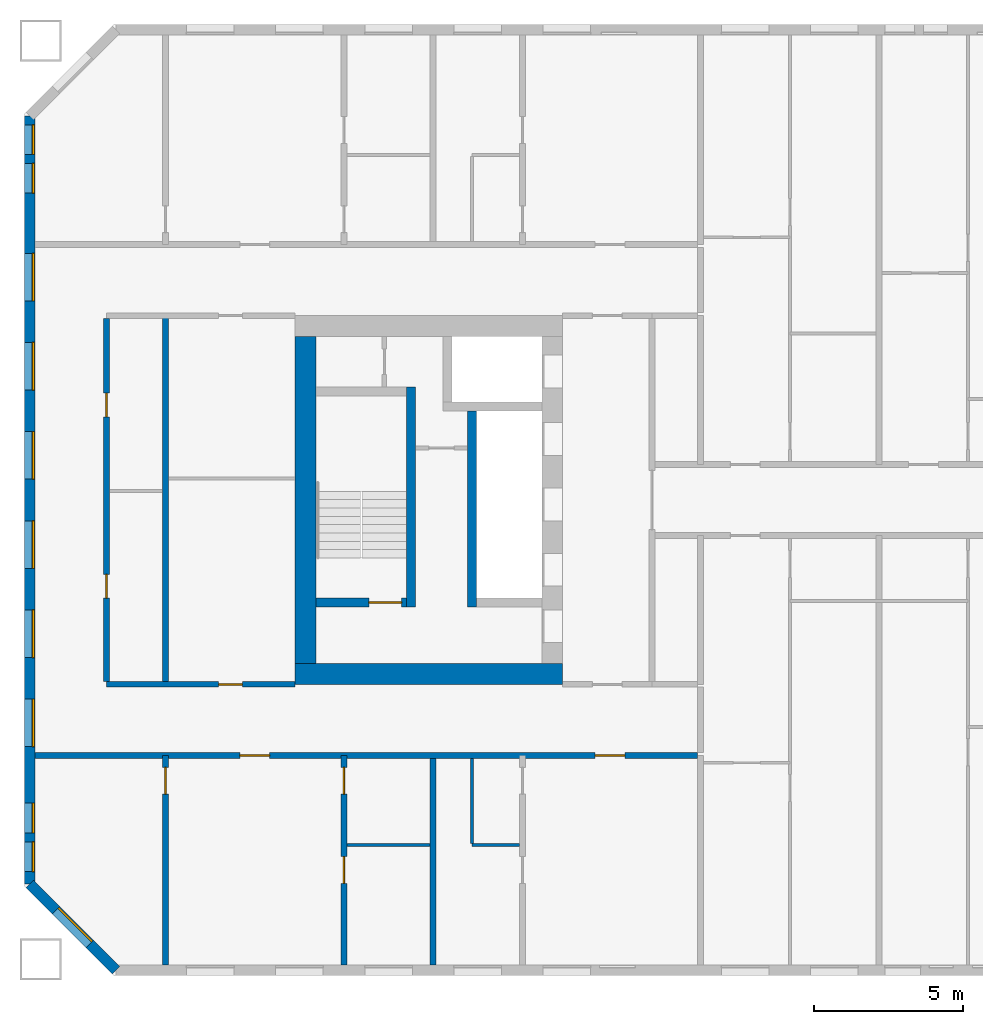
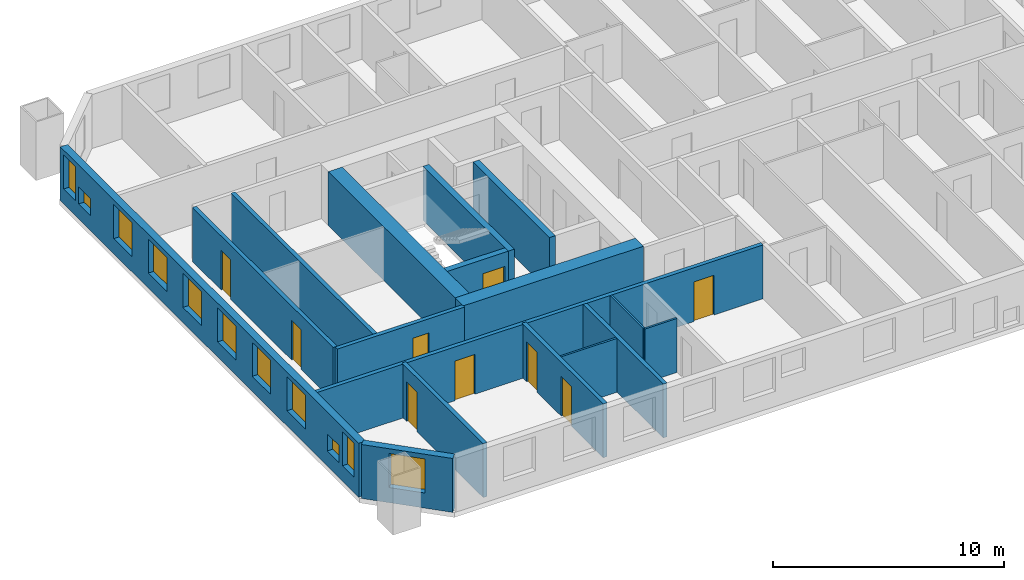
# One storey, part 2 of 17: 17 walls, 11 windows, 9 doors, 20 openings.
"""IFC4 building model written with IfcOpenShell, lengths in metres."""

import ifcopenshell
import ifcopenshell.guid

model = None  # the IFC model being written
_history = None  # IfcOwnerHistory: only IFC2X3 demands one
_inside = {}  # id of a spatial element -> (the spatial element, [elements in it])
_under = {}  # id of a project, library or spatial element -> (it, [spatial elements below it])
_declared = {}  # id of a project -> (the project, [libraries it declares])
_typed = {}  # id of a type object -> (the type object, [elements of that type])
_made_of = {}  # id of a material, layer set ... -> (it, [elements and type objects made of it])


def new_model(schema):
    """Start an empty IFC model of exactly this schema.

    Asked for "IFC4X3", IfcOpenShell would pick the latest addendum, in which some entities
    have other attributes; the version numbers below select the first issue.
    IFC2X3 requires an IfcOwnerHistory on every rooted entity: one is made here for all.
    """
    global model, _history
    if schema == "IFC4X3":
        model = ifcopenshell.file(schema_version=(4, 3, 0, 0))
    else:
        model = ifcopenshell.file(schema=schema)
    _inside.clear()
    _under.clear()
    _declared.clear()
    _typed.clear()
    _made_of.clear()
    _history = None
    if model.schema == "IFC2X3":
        org = make("IfcOrganization", Name="unknown")
        user = make(
            "IfcPersonAndOrganization",
            ThePerson=make("IfcPerson", FamilyName="unknown"),
            TheOrganization=org,
        )
        app = make(
            "IfcApplication",
            ApplicationDeveloper=org,
            Version="unknown",
            ApplicationFullName="unknown",
            ApplicationIdentifier="unknown",
        )
        _history = make(
            "IfcOwnerHistory",
            OwningUser=user,
            OwningApplication=app,
            ChangeAction="ADDED",
            CreationDate=0,
        )
    return model


def make(cls, **values):
    """One entity of the class cls with the attributes given. An attribute that is None is left unset."""
    return model.create_entity(
        cls, **{name: value for name, value in values.items() if value is not None}
    )


def rooted(cls, **values):
    """An entity with a GlobalId (a new one), such as an element, a storey or a relation."""
    return make(cls, GlobalId=ifcopenshell.guid.new(), OwnerHistory=_history, **values)


def si_unit(unit_type, name, prefix=None):
    """IfcSIUnit, for example si_unit("LENGTHUNIT", "METRE", prefix="MILLI")."""
    return make("IfcSIUnit", UnitType=unit_type, Prefix=prefix, Name=name)


def assignment(units):
    """IfcUnitAssignment: the units of a project."""
    return None if units is None else make("IfcUnitAssignment", Units=units)


def point(xyz):
    """IfcCartesianPoint."""
    return None if xyz is None else make("IfcCartesianPoint", Coordinates=xyz)


def direction(xyz):
    """IfcDirection."""
    return None if xyz is None else make("IfcDirection", DirectionRatios=xyz)


def frame(location, z_axis=None, x_axis=None):
    """IfcAxis2Placement3D, a coordinate frame: its origin and axes. An axis left out is left unset."""
    return make(
        "IfcAxis2Placement3D",
        Location=point(location),
        Axis=direction(z_axis),
        RefDirection=direction(x_axis),
    )


def frame_2d(location, x_axis=None):
    """IfcAxis2Placement2D, a coordinate frame in the plane: its origin and x axis."""
    return make(
        "IfcAxis2Placement2D", Location=point(location), RefDirection=direction(x_axis)
    )


def origin():
    """The frame at (0, 0, 0) with its axes left unset."""
    return frame((0.0, 0.0, 0.0))


def place(relative_to, where):
    """IfcLocalPlacement: puts the frame where relative to a parent placement (None: the world)."""
    return make(
        "IfcLocalPlacement", PlacementRelTo=relative_to, RelativePlacement=where
    )


def context(
    kind, dimensions, precision=None, world=None, true_north=None, identifier=None
):
    """IfcGeometricRepresentationContext, for example the 3D "Model" context."""
    return make(
        "IfcGeometricRepresentationContext",
        ContextIdentifier=identifier,
        ContextType=kind,
        CoordinateSpaceDimension=dimensions,
        Precision=precision,
        WorldCoordinateSystem=world,
        TrueNorth=true_north,
    )


def subcontext(parent, identifier, kind, view, scale=None):
    """IfcGeometricRepresentationSubContext, for example "Body" below "Model"."""
    return make(
        "IfcGeometricRepresentationSubContext",
        ContextIdentifier=identifier,
        ContextType=kind,
        ParentContext=parent,
        TargetScale=scale,
        TargetView=view,
    )


def project(units=None, contexts=None):
    """IfcProject with its units and contexts."""
    return rooted(
        "IfcProject",
        Name="project",
        RepresentationContexts=contexts,
        UnitsInContext=assignment(units),
    )


def spatial(cls, under=None, at=None, **own):
    """A site, building, storey or space (cls), placed at a placement, below another one or the project."""
    s = rooted(cls, ObjectPlacement=at, **own)
    if under is not None:
        _under.setdefault(under.id(), (under, []))[1].append(s)
    return s


def profile(cls, at=None, kind="AREA", **sizes):
    """A parametric profile (cls). Its sizes go by their IFC names, for example OverallWidth=200.0."""
    return make(cls, ProfileType=kind, Position=at, **sizes)


def rectangle(**sizes):
    """IfcRectangleProfileDef."""
    return profile("IfcRectangleProfileDef", **sizes)


def extrude(swept, where, along, depth):
    """IfcExtrudedAreaSolid: the profile swept, set in the frame where, extruded along a direction by depth."""
    return make(
        "IfcExtrudedAreaSolid",
        SweptArea=swept,
        Position=where,
        ExtrudedDirection=direction(along),
        Depth=depth,
    )


def shape(context_of_items, identifier, shape_type, items):
    """IfcShapeRepresentation: the items that make up one representation, for example the "Body"."""
    return make(
        "IfcShapeRepresentation",
        ContextOfItems=context_of_items,
        RepresentationIdentifier=identifier,
        RepresentationType=shape_type,
        Items=items,
    )


def material(Name=None, Category=None):
    """IfcMaterial."""
    return make("IfcMaterial", Name=Name, Category=Category)


def layer(
    of_material, thickness, ventilated=None, Name=None, Category=None, Priority=None
):
    """IfcMaterialLayer: one layer of a wall or slab, of a material (None: an air gap)."""
    return make(
        "IfcMaterialLayer",
        Material=of_material,
        LayerThickness=thickness,
        IsVentilated=ventilated,
        Name=Name,
        Category=Category,
        Priority=Priority,
    )


def layer_set(layers, Name=None):
    """IfcMaterialLayerSet."""
    return make("IfcMaterialLayerSet", MaterialLayers=layers, LayerSetName=Name)


def made_of(thing, what):
    """Note that an element or type object is made of a material, layer set ...; save() writes the relation."""
    if what is not None:
        _made_of.setdefault(what.id(), (what, []))[1].append(thing)
    return thing


def type_object(cls, material=None, **own):
    """A type object (cls), such as IfcWallType, which elements share."""
    return made_of(rooted(cls, **own), material)


def element(
    cls,
    number,
    at=None,
    inside=None,
    cuts=None,
    type_object=None,
    material=None,
    context=None,
    identifier="Body",
    shape_type=None,
    held_by="IfcProductDefinitionShape",
    body=None,
    shapes=None,
    **own,
):
    """One element of the class cls, such as IfcWall. Its Tag is "e" and its number.

    at: its placement. inside: the storey or other place that contains it. cuts: it is an
    opening in that element (IfcRelVoidsElement). A single representation is given by context,
    identifier, shape_type and body (its items); several are given by shapes. held_by: the class
    of the entity that holds the representations. save() writes the other relations.
    """
    e = rooted(cls, Tag="e%d" % number, ObjectPlacement=at, **own)
    if body is not None:
        shapes = [shape(context, identifier, shape_type, body)]
    if shapes is not None:
        e.Representation = make(held_by, Representations=shapes)
    if inside is not None:
        _inside.setdefault(inside.id(), (inside, []))[1].append(e)
    if cuts is not None:
        rooted(
            "IfcRelVoidsElement", RelatingBuildingElement=cuts, RelatedOpeningElement=e
        )
    if type_object is not None:
        _typed.setdefault(type_object.id(), (type_object, []))[1].append(e)
    return made_of(e, material)


def fill(opening, filler):
    """IfcRelFillsElement: the door or window that sits in an opening."""
    return rooted(
        "IfcRelFillsElement",
        RelatingOpeningElement=opening,
        RelatedBuildingElement=filler,
    )


def aggregate(whole, parts):
    """IfcRelAggregates: a whole, such as a stair, and the parts it consists of."""
    return rooted("IfcRelAggregates", RelatingObject=whole, RelatedObjects=parts)


def save(model, path):
    """Write the relations noted so far, then the file.

    IfcRelAggregates (storeys below a building ...), IfcRelContainedInSpatialStructure (elements
    in a storey), IfcRelDefinesByType, IfcRelAssociatesMaterial and IfcRelDeclares: one each for
    every whole, place, type object, material and project.
    """
    for whole, parts in _under.values():
        aggregate(whole, parts)
    for where, things in _inside.values():
        rooted(
            "IfcRelContainedInSpatialStructure",
            RelatedElements=things,
            RelatingStructure=where,
        )
    for kind, things in _typed.values():
        rooted("IfcRelDefinesByType", RelatedObjects=things, RelatingType=kind)
    for what, things in _made_of.values():
        rooted("IfcRelAssociatesMaterial", RelatedObjects=things, RelatingMaterial=what)
    for by, libraries in _declared.values():
        rooted("IfcRelDeclares", RelatingContext=by, RelatedDefinitions=libraries)
    model.write(path)


model = new_model("IFC4")

# Units and contexts
model_context = context("Model", 3, precision=1e-05, world=origin(), true_north=direction((0.0, 1.0)))
body_context = subcontext(model_context, "Body", "Model", "MODEL_VIEW")
ifc_project = project(units=[si_unit("LENGTHUNIT", "METRE"), si_unit("AREAUNIT", "SQUARE_METRE"), si_unit("VOLUMEUNIT", "CUBIC_METRE"), si_unit("PLANEANGLEUNIT", "RADIAN"), si_unit("MASSUNIT", "GRAM", prefix="KILO")], contexts=[model_context])

# Site, building, storey
site_placement = place(None, origin())
site = spatial("IfcSite", under=ifc_project, at=site_placement, CompositionType="ELEMENT")
building_placement = place(site_placement, origin())
building = spatial("IfcBuilding", under=site, at=building_placement, Name="Tuart Gate Housing", CompositionType="ELEMENT")
storey_placement = place(building_placement, frame((0.0, 0.0, 84.0)))
storey = spatial("IfcBuildingStorey", under=building, at=storey_placement, Name="L23", CompositionType="ELEMENT", Elevation=84.0)

# Wall, opening, window
ifc_material_1 = material(Name="Brick", Category="masonry")
ifc_layer_1 = layer(ifc_material_1, 0.360107421875)
ifc_layer_set_1 = layer_set([ifc_layer_1], Name="Brick pier and spandrel wall 360")
wall_type_1 = type_object("IfcWallType", Name="Brick pier and spandrel wall 360", PredefinedType="STANDARD", material=ifc_layer_set_1)
wall_1_placement = place(storey_placement, frame((23.429931640625, 57.07470703125, 0.0), z_axis=(0.0, 0.0, 1.0), x_axis=(0.707106781187, -0.707106781187, 0.0)))
wall_1 = element("IfcWall", 1, at=wall_1_placement, inside=storey, type_object=wall_type_1, Name="External wall A-SW L23", PredefinedType="STANDARD", context=body_context, shape_type="SweptSolid", body=[
    extrude(rectangle(XDim=4.09375, YDim=0.360107421875, at=frame_2d((2.046875, 0.0))), origin(), (0.0, 0.0, 1.0), 2.85009765625),
])
opening_1_placement = place(wall_1_placement, frame((1.2470703125, 0.0, 0.800048828125)))
opening_1 = element("IfcOpeningElement", 2, at=opening_1_placement, cuts=wall_1, Name="Opening W1", PredefinedType="OPENING", context=body_context, shape_type="SweptSolid", body=[
    extrude(rectangle(XDim=1.60009765625, YDim=1.800048828125, at=frame_2d((0.800048828125, 0.89990234375))), frame((0.0, 0.18994140625, 0.0), z_axis=(0.0, -1.0, 0.0), x_axis=(1.0, 0.0, 0.0)), (0.0, 0.0, 1.0), 0.380126953125),
])
ifc_material_2 = material(Name="Aluminium frame with clear glass", Category="aluminium")
window_type_1 = type_object("IfcWindowType", Name="Punched window 1600 x 1800", PartitioningType="SINGLE_PANEL", PredefinedType="WINDOW", material=ifc_material_2)
window_1_placement = place(opening_1_placement, origin())
window_1 = element("IfcWindow", 3, at=window_1_placement, inside=storey, type_object=window_type_1, Name="Window W1", OverallHeight=1.800048828125, OverallWidth=1.60009765625, PartitioningType="SINGLE_PANEL", PredefinedType="WINDOW", context=body_context, shape_type="SweptSolid", body=[
    extrude(rectangle(XDim=1.60009765625, YDim=1.800048828125, at=frame_2d((0.800048828125, 0.89990234375))), frame((0.0, 0.150146484375, 0.0), z_axis=(0.0, -1.0, 0.0), x_axis=(1.0, 0.0, 0.0)), (0.0, 0.0, 1.0), 0.06005859375),
])
fill(opening_1, window_1)

# Wall, openings, windows
wall_2_placement = place(storey_placement, frame((23.429931640625, 82.92529296875, 0.0), z_axis=(0.0, 0.0, 1.0), x_axis=(0.0, -1.0, 0.0)))
wall_2 = element("IfcWall", 4, at=wall_2_placement, inside=storey, type_object=wall_type_1, Name="External wall A-W L23", PredefinedType="STANDARD", context=body_context, shape_type="SweptSolid", body=[
    extrude(rectangle(XDim=25.850830078125, YDim=0.360107421875, at=frame_2d((12.92529296875, 0.0))), origin(), (0.0, 0.0, 1.0), 2.85009765625),
])
opening_2_placement = place(wall_2_placement, frame((0.300048828125, 0.0, 0.800048828125)))
opening_2 = element("IfcOpeningElement", 5, at=opening_2_placement, cuts=wall_2, Name="Opening W1C", PredefinedType="OPENING", context=body_context, shape_type="SweptSolid", body=[
    extrude(rectangle(XDim=1.0, YDim=1.800048828125, at=frame_2d((0.5, 0.89990234375))), frame((0.0, 0.18994140625, 0.0), z_axis=(0.0, -1.0, 0.0), x_axis=(1.0, 0.0, 0.0)), (0.0, 0.0, 1.0), 0.380126953125),
])
opening_3_placement = place(wall_2_placement, frame((4.62548828125, 0.0, 0.800048828125)))
opening_3 = element("IfcOpeningElement", 6, at=opening_3_placement, cuts=wall_2, Name="Opening W1", PredefinedType="OPENING", context=body_context, shape_type="SweptSolid", body=[
    extrude(rectangle(XDim=1.60009765625, YDim=1.800048828125, at=frame_2d((0.800048828125, 0.89990234375))), frame((0.0, 0.18994140625, 0.0), z_axis=(0.0, -1.0, 0.0), x_axis=(1.0, 0.0, 0.0)), (0.0, 0.0, 1.0), 0.380126953125),
])
opening_4_placement = place(wall_2_placement, frame((7.62548828125, 0.0, 0.800048828125)))
opening_4 = element("IfcOpeningElement", 7, at=opening_4_placement, cuts=wall_2, Name="Opening W1", PredefinedType="OPENING", context=body_context, shape_type="SweptSolid", body=[
    extrude(rectangle(XDim=1.60009765625, YDim=1.800048828125, at=frame_2d((0.800048828125, 0.89990234375))), frame((0.0, 0.18994140625, 0.0), z_axis=(0.0, -1.0, 0.0), x_axis=(1.0, 0.0, 0.0)), (0.0, 0.0, 1.0), 0.380126953125),
])
opening_5_placement = place(wall_2_placement, frame((10.62548828125, 0.0, 0.800048828125)))
opening_5 = element("IfcOpeningElement", 8, at=opening_5_placement, cuts=wall_2, Name="Opening W1", PredefinedType="OPENING", context=body_context, shape_type="SweptSolid", body=[
    extrude(rectangle(XDim=1.60009765625, YDim=1.800048828125, at=frame_2d((0.800048828125, 0.89990234375))), frame((0.0, 0.18994140625, 0.0), z_axis=(0.0, -1.0, 0.0), x_axis=(1.0, 0.0, 0.0)), (0.0, 0.0, 1.0), 0.380126953125),
])
opening_6_placement = place(wall_2_placement, frame((13.62548828125, 0.0, 0.800048828125)))
opening_6 = element("IfcOpeningElement", 9, at=opening_6_placement, cuts=wall_2, Name="Opening W1", PredefinedType="OPENING", context=body_context, shape_type="SweptSolid", body=[
    extrude(rectangle(XDim=1.60009765625, YDim=1.800048828125, at=frame_2d((0.800048828125, 0.89990234375))), frame((0.0, 0.18994140625, 0.0), z_axis=(0.0, -1.0, 0.0), x_axis=(1.0, 0.0, 0.0)), (0.0, 0.0, 1.0), 0.380126953125),
])
opening_7_placement = place(wall_2_placement, frame((16.62548828125, 0.0, 0.800048828125)))
opening_7 = element("IfcOpeningElement", 10, at=opening_7_placement, cuts=wall_2, Name="Opening W1", PredefinedType="OPENING", context=body_context, shape_type="SweptSolid", body=[
    extrude(rectangle(XDim=1.60009765625, YDim=1.800048828125, at=frame_2d((0.800048828125, 0.89990234375))), frame((0.0, 0.18994140625, 0.0), z_axis=(0.0, -1.0, 0.0), x_axis=(1.0, 0.0, 0.0)), (0.0, 0.0, 1.0), 0.380126953125),
])
opening_8_placement = place(wall_2_placement, frame((19.62548828125, 0.0, 0.800048828125)))
opening_8 = element("IfcOpeningElement", 11, at=opening_8_placement, cuts=wall_2, Name="Opening W1", PredefinedType="OPENING", context=body_context, shape_type="SweptSolid", body=[
    extrude(rectangle(XDim=1.60009765625, YDim=1.800048828125, at=frame_2d((0.800048828125, 0.89990234375))), frame((0.0, 0.18994140625, 0.0), z_axis=(0.0, -1.0, 0.0), x_axis=(1.0, 0.0, 0.0)), (0.0, 0.0, 1.0), 0.380126953125),
])
opening_9_placement = place(wall_2_placement, frame((23.12548828125, 0.0, 0.800048828125)))
opening_9 = element("IfcOpeningElement", 12, at=opening_9_placement, cuts=wall_2, Name="Opening W1U", PredefinedType="OPENING", context=body_context, shape_type="SweptSolid", body=[
    extrude(rectangle(XDim=1.0, YDim=0.89990234375, at=frame_2d((0.5, 0.449951171875))), frame((0.0, 0.18994140625, 0.0), z_axis=(0.0, -1.0, 0.0), x_axis=(1.0, 0.0, 0.0)), (0.0, 0.0, 1.0), 0.380126953125),
])
opening_10_placement = place(wall_2_placement, frame((1.60009765625, 0.0, 0.800048828125)))
opening_10 = element("IfcOpeningElement", 13, at=opening_10_placement, cuts=wall_2, Name="Opening W1U", PredefinedType="OPENING", context=body_context, shape_type="SweptSolid", body=[
    extrude(rectangle(XDim=1.0, YDim=0.89990234375, at=frame_2d((0.5, 0.449951171875))), frame((0.0, 0.18994140625, 0.0), z_axis=(0.0, -1.0, 0.0), x_axis=(1.0, 0.0, 0.0)), (0.0, 0.0, 1.0), 0.380126953125),
])
opening_11_placement = place(wall_2_placement, frame((24.42529296875, 0.0, 0.800048828125)))
opening_11 = element("IfcOpeningElement", 14, at=opening_11_placement, cuts=wall_2, Name="Opening W1C", PredefinedType="OPENING", context=body_context, shape_type="SweptSolid", body=[
    extrude(rectangle(XDim=1.0, YDim=1.800048828125, at=frame_2d((0.5, 0.89990234375))), frame((0.0, 0.18994140625, 0.0), z_axis=(0.0, -1.0, 0.0), x_axis=(1.0, 0.0, 0.0)), (0.0, 0.0, 1.0), 0.380126953125),
])
ifc_material_3 = material(Name="Aluminium frame with clear glass", Category="aluminium")
window_type_2 = type_object("IfcWindowType", Name="Punched window 1000 x 1800", PartitioningType="SINGLE_PANEL", PredefinedType="WINDOW", material=ifc_material_3)
window_2_placement = place(opening_2_placement, origin())
window_2 = element("IfcWindow", 15, at=window_2_placement, inside=storey, type_object=window_type_2, Name="Window W1C", OverallHeight=1.800048828125, OverallWidth=1.0, PartitioningType="SINGLE_PANEL", PredefinedType="WINDOW", context=body_context, shape_type="SweptSolid", body=[
    extrude(rectangle(XDim=1.0, YDim=1.800048828125, at=frame_2d((0.5, 0.89990234375))), frame((0.0, 0.150146484375, 0.0), z_axis=(0.0, -1.0, 0.0), x_axis=(1.0, 0.0, 0.0)), (0.0, 0.0, 1.0), 0.06005859375),
])
fill(opening_2, window_2)
window_3_placement = place(opening_11_placement, origin())
window_3 = element("IfcWindow", 16, at=window_3_placement, inside=storey, type_object=window_type_2, Name="Window W1C", OverallHeight=1.800048828125, OverallWidth=1.0, PartitioningType="SINGLE_PANEL", PredefinedType="WINDOW", context=body_context, shape_type="SweptSolid", body=[
    extrude(rectangle(XDim=1.0, YDim=1.800048828125, at=frame_2d((0.5, 0.89990234375))), frame((0.0, 0.150146484375, 0.0), z_axis=(0.0, -1.0, 0.0), x_axis=(1.0, 0.0, 0.0)), (0.0, 0.0, 1.0), 0.06005859375),
])
fill(opening_11, window_3)
ifc_material_4 = material(Name="Aluminium frame with clear glass", Category="aluminium")
window_type_3 = type_object("IfcWindowType", Name="Punched window 1000 x 900", PartitioningType="SINGLE_PANEL", PredefinedType="WINDOW", material=ifc_material_4)
window_4_placement = place(opening_9_placement, origin())
window_4 = element("IfcWindow", 17, at=window_4_placement, inside=storey, type_object=window_type_3, Name="Window W1U", OverallHeight=0.89990234375, OverallWidth=1.0, PartitioningType="SINGLE_PANEL", PredefinedType="WINDOW", context=body_context, shape_type="SweptSolid", body=[
    extrude(rectangle(XDim=1.0, YDim=0.89990234375, at=frame_2d((0.5, 0.449951171875))), frame((0.0, 0.150146484375, 0.0), z_axis=(0.0, -1.0, 0.0), x_axis=(1.0, 0.0, 0.0)), (0.0, 0.0, 1.0), 0.06005859375),
])
fill(opening_9, window_4)
window_5_placement = place(opening_10_placement, origin())
window_5 = element("IfcWindow", 18, at=window_5_placement, inside=storey, type_object=window_type_3, Name="Window W1U", OverallHeight=0.89990234375, OverallWidth=1.0, PartitioningType="SINGLE_PANEL", PredefinedType="WINDOW", context=body_context, shape_type="SweptSolid", body=[
    extrude(rectangle(XDim=1.0, YDim=0.89990234375, at=frame_2d((0.5, 0.449951171875))), frame((0.0, 0.150146484375, 0.0), z_axis=(0.0, -1.0, 0.0), x_axis=(1.0, 0.0, 0.0)), (0.0, 0.0, 1.0), 0.06005859375),
])
fill(opening_10, window_5)
window_6_placement = place(opening_3_placement, origin())
window_6 = element("IfcWindow", 19, at=window_6_placement, inside=storey, type_object=window_type_1, Name="Window W1", OverallHeight=1.800048828125, OverallWidth=1.60009765625, PartitioningType="SINGLE_PANEL", PredefinedType="WINDOW", context=body_context, shape_type="SweptSolid", body=[
    extrude(rectangle(XDim=1.60009765625, YDim=1.800048828125, at=frame_2d((0.800048828125, 0.89990234375))), frame((0.0, 0.150146484375, 0.0), z_axis=(0.0, -1.0, 0.0), x_axis=(1.0, 0.0, 0.0)), (0.0, 0.0, 1.0), 0.06005859375),
])
fill(opening_3, window_6)
window_7_placement = place(opening_4_placement, origin())
window_7 = element("IfcWindow", 20, at=window_7_placement, inside=storey, type_object=window_type_1, Name="Window W1", OverallHeight=1.800048828125, OverallWidth=1.60009765625, PartitioningType="SINGLE_PANEL", PredefinedType="WINDOW", context=body_context, shape_type="SweptSolid", body=[
    extrude(rectangle(XDim=1.60009765625, YDim=1.800048828125, at=frame_2d((0.800048828125, 0.89990234375))), frame((0.0, 0.150146484375, 0.0), z_axis=(0.0, -1.0, 0.0), x_axis=(1.0, 0.0, 0.0)), (0.0, 0.0, 1.0), 0.06005859375),
])
fill(opening_4, window_7)
window_8_placement = place(opening_5_placement, origin())
window_8 = element("IfcWindow", 21, at=window_8_placement, inside=storey, type_object=window_type_1, Name="Window W1", OverallHeight=1.800048828125, OverallWidth=1.60009765625, PartitioningType="SINGLE_PANEL", PredefinedType="WINDOW", context=body_context, shape_type="SweptSolid", body=[
    extrude(rectangle(XDim=1.60009765625, YDim=1.800048828125, at=frame_2d((0.800048828125, 0.89990234375))), frame((0.0, 0.150146484375, 0.0), z_axis=(0.0, -1.0, 0.0), x_axis=(1.0, 0.0, 0.0)), (0.0, 0.0, 1.0), 0.06005859375),
])
fill(opening_5, window_8)
window_9_placement = place(opening_6_placement, origin())
window_9 = element("IfcWindow", 22, at=window_9_placement, inside=storey, type_object=window_type_1, Name="Window W1", OverallHeight=1.800048828125, OverallWidth=1.60009765625, PartitioningType="SINGLE_PANEL", PredefinedType="WINDOW", context=body_context, shape_type="SweptSolid", body=[
    extrude(rectangle(XDim=1.60009765625, YDim=1.800048828125, at=frame_2d((0.800048828125, 0.89990234375))), frame((0.0, 0.150146484375, 0.0), z_axis=(0.0, -1.0, 0.0), x_axis=(1.0, 0.0, 0.0)), (0.0, 0.0, 1.0), 0.06005859375),
])
fill(opening_6, window_9)
window_10_placement = place(opening_7_placement, origin())
window_10 = element("IfcWindow", 23, at=window_10_placement, inside=storey, type_object=window_type_1, Name="Window W1", OverallHeight=1.800048828125, OverallWidth=1.60009765625, PartitioningType="SINGLE_PANEL", PredefinedType="WINDOW", context=body_context, shape_type="SweptSolid", body=[
    extrude(rectangle(XDim=1.60009765625, YDim=1.800048828125, at=frame_2d((0.800048828125, 0.89990234375))), frame((0.0, 0.150146484375, 0.0), z_axis=(0.0, -1.0, 0.0), x_axis=(1.0, 0.0, 0.0)), (0.0, 0.0, 1.0), 0.06005859375),
])
fill(opening_7, window_10)
window_11_placement = place(opening_8_placement, origin())
window_11 = element("IfcWindow", 24, at=window_11_placement, inside=storey, type_object=window_type_1, Name="Window W1", OverallHeight=1.800048828125, OverallWidth=1.60009765625, PartitioningType="SINGLE_PANEL", PredefinedType="WINDOW", context=body_context, shape_type="SweptSolid", body=[
    extrude(rectangle(XDim=1.60009765625, YDim=1.800048828125, at=frame_2d((0.800048828125, 0.89990234375))), frame((0.0, 0.150146484375, 0.0), z_axis=(0.0, -1.0, 0.0), x_axis=(1.0, 0.0, 0.0)), (0.0, 0.0, 1.0), 0.06005859375),
])
fill(opening_8, window_11)

# Wall, opening, door
ifc_material_5 = material(Name="Concrete C50", Category="concrete")
ifc_layer_2 = layer(ifc_material_5, 0.300048828125)
ifc_layer_set_2 = layer_set([ifc_layer_2], Name="Core wall 300 C50")
wall_type_2 = type_object("IfcWallType", Name="Core wall 300 C50", PredefinedType="SHEAR", material=ifc_layer_set_2)
wall_3_placement = place(storey_placement, frame((36.110107421875, 66.550048828125, 0.0), z_axis=(0.0, 0.0, 1.0), x_axis=(-1.0, 0.0, 0.0)))
wall_3 = element("IfcWall", 25, at=wall_3_placement, inside=storey, type_object=wall_type_2, Name="Core wall AK.5", PredefinedType="SHEAR", context=body_context, shape_type="SweptSolid", body=[
    extrude(rectangle(XDim=3.050048828125, YDim=0.300048828125, at=frame_2d((1.52490234375, 0.0))), origin(), (0.0, 0.0, 1.0), 2.85009765625),
])
opening_12_placement = place(wall_3_placement, frame((0.169921875, 0.0, 0.0)))
opening_12 = element("IfcOpeningElement", 26, at=opening_12_placement, cuts=wall_3, Name="Opening D989", PredefinedType="OPENING", context=body_context, shape_type="SweptSolid", body=[
    extrude(rectangle(XDim=1.10009765625, YDim=2.10009765625, at=frame_2d((0.550048828125, 1.050048828125))), frame((0.0, 0.159912109375, 0.0), z_axis=(0.0, -1.0, 0.0), x_axis=(1.0, 0.0, 0.0)), (0.0, 0.0, 1.0), 0.320068359375),
])
ifc_material_6 = material(Name="Steel fire door", Category="steel")
door_type_1 = type_object("IfcDoorType", Name="Stair door 1100 x 2100 RH", OperationType="SINGLE_SWING_RIGHT", PredefinedType="DOOR", material=ifc_material_6)
door_1_placement = place(opening_12_placement, frame((1.10009765625, 0.0, 0.0), z_axis=(0.0, 0.0, 1.0), x_axis=(-1.0, 0.0, 0.0)))
door_1 = element("IfcDoor", 27, at=door_1_placement, inside=storey, type_object=door_type_1, Name="Stair door AK.SD", OperationType="SINGLE_SWING_RIGHT", OverallHeight=2.10009765625, OverallWidth=1.10009765625, PredefinedType="DOOR", context=body_context, shape_type="SweptSolid", body=[
    extrude(rectangle(XDim=1.10009765625, YDim=2.10009765625, at=frame_2d((0.550048828125, 1.050048828125))), frame((0.0, 0.025146484375, 0.0), z_axis=(0.0, -1.0, 0.0), x_axis=(1.0, 0.0, 0.0)), (0.0, 0.0, 1.0), 0.050048828125),
])
fill(opening_12, door_1)

# Walls
wall_4_placement = place(storey_placement, frame((38.31005859375, 73.0, 0.0), z_axis=(0.0, 0.0, 1.0), x_axis=(0.0, -1.0, 0.0)))
element("IfcWall", 28, at=wall_4_placement, inside=storey, type_object=wall_type_2, Name="Core wall AK.6", PredefinedType="SHEAR", context=body_context, shape_type="SweptSolid", body=[
    extrude(rectangle(XDim=6.60009765625, YDim=0.300048828125, at=frame_2d((3.300048828125, 0.0))), origin(), (0.0, 0.0, 1.0), 2.85009765625),
])
wall_5_placement = place(storey_placement, frame((36.260009765625, 73.800048828125, 0.0), z_axis=(0.0, 0.0, 1.0), x_axis=(0.0, -1.0, 0.0)))
element("IfcWall", 29, at=wall_5_placement, inside=storey, type_object=wall_type_2, Name="Core wall AK.8", PredefinedType="SHEAR", context=body_context, shape_type="SweptSolid", body=[
    extrude(rectangle(XDim=7.400146484375, YDim=0.300048828125, at=frame_2d((3.7001953125, 0.0))), origin(), (0.0, 0.0, 1.0), 2.85009765625),
])
ifc_material_7 = material(Name="Concrete C50", Category="concrete")
ifc_layer_3 = layer(ifc_material_7, 0.699951171875)
ifc_layer_set_3 = layer_set([ifc_layer_3], Name="Core wall 700 C50")
wall_type_3 = type_object("IfcWallType", Name="Core wall 700 C50", PredefinedType="SHEAR", material=ifc_layer_set_3)
wall_6_placement = place(storey_placement, frame((32.7099609375, 75.5, 0.0), z_axis=(0.0, 0.0, 1.0), x_axis=(0.0, -1.0, 0.0)))
element("IfcWall", 30, at=wall_6_placement, inside=storey, type_object=wall_type_3, Name="Core wall AK back", PredefinedType="SHEAR", context=body_context, shape_type="SweptSolid", body=[
    extrude(rectangle(XDim=11.0, YDim=0.699951171875, at=frame_2d((5.5, 0.0))), origin(), (0.0, 0.0, 1.0), 2.85009765625),
])
wall_7_placement = place(storey_placement, frame((41.360107421875, 64.14990234375, 0.0), z_axis=(0.0, 0.0, 1.0), x_axis=(-1.0, 0.0, 0.0)))
element("IfcWall", 31, at=wall_7_placement, inside=storey, type_object=wall_type_3, Name="Core wall AK north", PredefinedType="SHEAR", context=body_context, shape_type="SweptSolid", body=[
    extrude(rectangle(XDim=9.0, YDim=0.699951171875, at=frame_2d((4.5, 0.0))), origin(), (0.0, 0.0, 1.0), 2.85009765625),
])

# Wall, openings, doors
ifc_material_8 = material(Name="Concrete masonry 15 MPa", Category="masonry")
ifc_layer_4 = layer(ifc_material_8, 0.199951171875)
ifc_layer_set_4 = layer_set([ifc_layer_4], Name="Corridor wall masonry 200")
wall_type_4 = type_object("IfcWallType", Name="Corridor wall masonry 200", PredefinedType="PARTITIONING", material=ifc_layer_set_4)
wall_8_placement = place(storey_placement, frame((23.610107421875, 61.39990234375, 0.0), z_axis=(0.0, 0.0, 1.0), x_axis=(1.0, 0.0, 0.0)))
wall_8 = element("IfcWall", 32, at=wall_8_placement, inside=storey, type_object=wall_type_4, Name="Corridor wall masonry 200", PredefinedType="PARTITIONING", context=body_context, shape_type="SweptSolid", body=[
    extrude(rectangle(XDim=22.289794921875, YDim=0.199951171875, at=frame_2d((11.14501953125, 0.0))), origin(), (0.0, 0.0, 1.0), 2.85009765625),
])
opening_13_placement = place(wall_8_placement, frame((18.840087890625, 0.0, 0.0)))
opening_13 = element("IfcOpeningElement", 33, at=opening_13_placement, cuts=wall_8, Name="Opening D1001", PredefinedType="OPENING", context=body_context, shape_type="SweptSolid", body=[
    extrude(rectangle(XDim=1.0, YDim=2.10009765625, at=frame_2d((0.5, 1.050048828125))), frame((0.0, 0.10986328125, 0.0), z_axis=(0.0, -1.0, 0.0), x_axis=(1.0, 0.0, 0.0)), (0.0, 0.0, 1.0), 0.219970703125),
])
opening_14_placement = place(wall_8_placement, frame((6.889892578125, 0.0, 0.0)))
opening_14 = element("IfcOpeningElement", 34, at=opening_14_placement, cuts=wall_8, Name="Opening D1002", PredefinedType="OPENING", context=body_context, shape_type="SweptSolid", body=[
    extrude(rectangle(XDim=1.0, YDim=2.10009765625, at=frame_2d((0.5, 1.050048828125))), frame((0.0, 0.10986328125, 0.0), z_axis=(0.0, -1.0, 0.0), x_axis=(1.0, 0.0, 0.0)), (0.0, 0.0, 1.0), 0.219970703125),
])
ifc_material_9 = material(Name="Timber door leaf in steel frame", Category="steel")
door_type_2 = type_object("IfcDoorType", Name="Flat entrance door 1000 RH", OperationType="SINGLE_SWING_RIGHT", PredefinedType="DOOR", material=ifc_material_9)
door_2_placement = place(opening_13_placement, frame((1.0, 0.0, 0.0), z_axis=(0.0, 0.0, 1.0), x_axis=(-1.0, 0.0, 0.0)))
door_2 = element("IfcDoor", 35, at=door_2_placement, inside=storey, type_object=door_type_2, Name="Flat entrance door", OperationType="SINGLE_SWING_RIGHT", OverallHeight=2.10009765625, OverallWidth=1.0, PredefinedType="DOOR", context=body_context, shape_type="SweptSolid", body=[
    extrude(rectangle(XDim=1.0, YDim=2.10009765625, at=frame_2d((0.5, 1.050048828125))), frame((0.0, 0.025146484375, 0.0), z_axis=(0.0, -1.0, 0.0), x_axis=(1.0, 0.0, 0.0)), (0.0, 0.0, 1.0), 0.050048828125),
])
fill(opening_13, door_2)
door_3_placement = place(opening_14_placement, frame((1.0, 0.0, 0.0), z_axis=(0.0, 0.0, 1.0), x_axis=(-1.0, 0.0, 0.0)))
door_3 = element("IfcDoor", 36, at=door_3_placement, inside=storey, type_object=door_type_2, Name="Flat entrance door", OperationType="SINGLE_SWING_RIGHT", OverallHeight=2.10009765625, OverallWidth=1.0, PredefinedType="DOOR", context=body_context, shape_type="SweptSolid", body=[
    extrude(rectangle(XDim=1.0, YDim=2.10009765625, at=frame_2d((0.5, 1.050048828125))), frame((0.0, 0.025146484375, 0.0), z_axis=(0.0, -1.0, 0.0), x_axis=(1.0, 0.0, 0.0)), (0.0, 0.0, 1.0), 0.050048828125),
])
fill(opening_14, door_3)

# Wall, opening, door
wall_9_placement = place(storey_placement, frame((26.010009765625, 63.800048828125, 0.0), z_axis=(0.0, 0.0, 1.0), x_axis=(1.0, 0.0, 0.0)))
wall_9 = element("IfcWall", 37, at=wall_9_placement, inside=storey, type_object=wall_type_4, Name="Corridor wall masonry 200", PredefinedType="PARTITIONING", context=body_context, shape_type="SweptSolid", body=[
    extrude(rectangle(XDim=6.35009765625, YDim=0.199951171875, at=frame_2d((3.175048828125, 0.0))), origin(), (0.0, 0.0, 1.0), 2.85009765625),
])
opening_15_placement = place(wall_9_placement, frame((3.77001953125, 0.0, 0.0)))
opening_15 = element("IfcOpeningElement", 38, at=opening_15_placement, cuts=wall_9, Name="Opening D990", PredefinedType="OPENING", context=body_context, shape_type="SweptSolid", body=[
    extrude(rectangle(XDim=0.800048828125, YDim=2.10009765625, at=frame_2d((0.39990234375, 1.050048828125))), frame((0.0, 0.10986328125, 0.0), z_axis=(0.0, -1.0, 0.0), x_axis=(1.0, 0.0, 0.0)), (0.0, 0.0, 1.0), 0.219970703125),
])
ifc_material_10 = material(Name="Timber door leaf in steel frame", Category="steel")
door_type_3 = type_object("IfcDoorType", Name="Store door 800", OperationType="SINGLE_SWING_LEFT", PredefinedType="DOOR", material=ifc_material_10)
door_4_placement = place(opening_15_placement, origin())
door_4 = element("IfcDoor", 39, at=door_4_placement, inside=storey, type_object=door_type_3, Name="Store door", OperationType="SINGLE_SWING_LEFT", OverallHeight=2.10009765625, OverallWidth=0.800048828125, PredefinedType="DOOR", context=body_context, shape_type="SweptSolid", body=[
    extrude(rectangle(XDim=0.800048828125, YDim=2.10009765625, at=frame_2d((0.39990234375, 1.050048828125))), frame((0.0, 0.02490234375, 0.0), z_axis=(0.0, -1.0, 0.0), x_axis=(1.0, 0.0, 0.0)), (0.0, 0.0, 1.0), 0.050048828125),
])
fill(opening_15, door_4)

# Wall, openings, doors
wall_10_placement = place(storey_placement, frame((26.010009765625, 63.89990234375, 0.0), z_axis=(0.0, 0.0, 1.0), x_axis=(0.0, 1.0, 0.0)))
wall_10 = element("IfcWall", 40, at=wall_10_placement, inside=storey, type_object=wall_type_4, Name="Corridor wall masonry 200", PredefinedType="PARTITIONING", context=body_context, shape_type="SweptSolid", body=[
    extrude(rectangle(XDim=12.2001953125, YDim=0.199951171875, at=frame_2d((6.10009765625, 0.0))), origin(), (0.0, 0.0, 1.0), 2.85009765625),
])
opening_16_placement = place(wall_10_placement, frame((2.800048828125, 0.0, 0.0)))
opening_16 = element("IfcOpeningElement", 41, at=opening_16_placement, cuts=wall_10, Name="Opening D979", PredefinedType="OPENING", context=body_context, shape_type="SweptSolid", body=[
    extrude(rectangle(XDim=0.800048828125, YDim=2.10009765625, at=frame_2d((0.39990234375, 1.050048828125))), frame((0.0, 0.10986328125, 0.0), z_axis=(0.0, -1.0, 0.0), x_axis=(1.0, 0.0, 0.0)), (0.0, 0.0, 1.0), 0.219970703125),
])
opening_17_placement = place(wall_10_placement, frame((8.89990234375, 0.0, 0.0)))
opening_17 = element("IfcOpeningElement", 42, at=opening_17_placement, cuts=wall_10, Name="Opening D980", PredefinedType="OPENING", context=body_context, shape_type="SweptSolid", body=[
    extrude(rectangle(XDim=0.800048828125, YDim=2.10009765625, at=frame_2d((0.39990234375, 1.050048828125))), frame((0.0, 0.10986328125, 0.0), z_axis=(0.0, -1.0, 0.0), x_axis=(1.0, 0.0, 0.0)), (0.0, 0.0, 1.0), 0.219970703125),
])
door_5_placement = place(opening_16_placement, frame((0.800048828125, 0.0, 0.0), z_axis=(0.0, 0.0, 1.0), x_axis=(-1.0, 0.0, 0.0)))
door_5 = element("IfcDoor", 43, at=door_5_placement, inside=storey, type_object=door_type_3, Name="Store door", OperationType="SINGLE_SWING_LEFT", OverallHeight=2.10009765625, OverallWidth=0.800048828125, PredefinedType="DOOR", context=body_context, shape_type="SweptSolid", body=[
    extrude(rectangle(XDim=0.800048828125, YDim=2.10009765625, at=frame_2d((0.400146484375, 1.050048828125))), frame((0.0, 0.025146484375, 0.0), z_axis=(0.0, -1.0, 0.0), x_axis=(1.0, 0.0, 0.0)), (0.0, 0.0, 1.0), 0.050048828125),
])
fill(opening_16, door_5)
ifc_material_11 = material(Name="Timber door leaf in steel frame", Category="steel")
door_type_4 = type_object("IfcDoorType", Name="Store door 800 RH", OperationType="SINGLE_SWING_RIGHT", PredefinedType="DOOR", material=ifc_material_11)
door_6_placement = place(opening_17_placement, frame((0.800048828125, 0.0, 0.0), z_axis=(0.0, 0.0, 1.0), x_axis=(-1.0, 0.0, 0.0)))
door_6 = element("IfcDoor", 44, at=door_6_placement, inside=storey, type_object=door_type_4, Name="Store door", OperationType="SINGLE_SWING_RIGHT", OverallHeight=2.10009765625, OverallWidth=0.800048828125, PredefinedType="DOOR", context=body_context, shape_type="SweptSolid", body=[
    extrude(rectangle(XDim=0.800048828125, YDim=2.10009765625, at=frame_2d((0.400146484375, 1.050048828125))), frame((0.0, 0.025146484375, 0.0), z_axis=(0.0, -1.0, 0.0), x_axis=(1.0, 0.0, 0.0)), (0.0, 0.0, 1.0), 0.050048828125),
])
fill(opening_17, door_6)

# Walls
ifc_material_12 = material(Name="Gypsum board on steel studs", Category="steel")
ifc_layer_5 = layer(ifc_material_12, 0.10009765625)
ifc_layer_set_5 = layer_set([ifc_layer_5], Name="Partition 100")
wall_type_5 = type_object("IfcWallType", Name="Partition 100", PredefinedType="PARTITIONING", material=ifc_layer_set_5)
wall_11_placement = place(storey_placement, frame((34.10009765625, 58.39990234375, 0.0), z_axis=(0.0, 0.0, 1.0), x_axis=(1.0, 0.0, 0.0)))
element("IfcWall", 45, at=wall_11_placement, inside=storey, type_object=wall_type_5, Name="Partition 100", PredefinedType="PARTITIONING", context=body_context, shape_type="SweptSolid", body=[
    extrude(rectangle(XDim=2.7998046875, YDim=0.10009765625, at=frame_2d((1.39990234375, 0.0))), origin(), (0.0, 0.0, 1.0), 2.85009765625),
])
wall_12_placement = place(storey_placement, frame((38.300048828125, 58.39990234375, 0.0), z_axis=(0.0, 0.0, 1.0), x_axis=(1.0, 0.0, 0.0)))
element("IfcWall", 46, at=wall_12_placement, inside=storey, type_object=wall_type_5, Name="Partition 100", PredefinedType="PARTITIONING", context=body_context, shape_type="SweptSolid", body=[
    extrude(rectangle(XDim=1.599853515625, YDim=0.10009765625, at=frame_2d((0.7998046875, 0.0))), origin(), (0.0, 0.0, 1.0), 2.85009765625),
])
wall_13_placement = place(storey_placement, frame((38.300048828125, 58.449951171875, 0.0), z_axis=(0.0, 0.0, 1.0), x_axis=(0.0, 1.0, 0.0)))
element("IfcWall", 47, at=wall_13_placement, inside=storey, type_object=wall_type_5, Name="Partition 100", PredefinedType="PARTITIONING", context=body_context, shape_type="SweptSolid", body=[
    extrude(rectangle(XDim=2.85009765625, YDim=0.10009765625, at=frame_2d((1.425048828125, 0.0))), origin(), (0.0, 0.0, 1.0), 2.85009765625),
])

# Wall, opening, door
ifc_material_13 = material(Name="Concrete C40", Category="concrete")
ifc_layer_6 = layer(ifc_material_13, 0.199951171875)
ifc_layer_set_6 = layer_set([ifc_layer_6], Name="Party wall concrete C40 200")
wall_type_6 = type_object("IfcWallType", Name="Party wall concrete C40 200", PredefinedType="SOLIDWALL", material=ifc_layer_set_6)
wall_14_placement = place(storey_placement, frame((28.0, 54.360107421875, 0.0), z_axis=(0.0, 0.0, 1.0), x_axis=(0.0, 1.0, 0.0)))
wall_14 = element("IfcWall", 48, at=wall_14_placement, inside=storey, type_object=wall_type_6, Name="Party wall concrete C40 200", PredefinedType="SOLIDWALL", context=body_context, shape_type="SweptSolid", body=[
    extrude(rectangle(XDim=7.039794921875, YDim=0.199951171875, at=frame_2d((3.52001953125, 0.0))), origin(), (0.0, 0.0, 1.0), 2.85009765625),
])
opening_18_placement = place(wall_14_placement, frame((5.739990234375, 0.0, 0.0)))
opening_18 = element("IfcOpeningElement", 49, at=opening_18_placement, cuts=wall_14, Name="Opening D1008", PredefinedType="OPENING", context=body_context, shape_type="SweptSolid", body=[
    extrude(rectangle(XDim=0.89990234375, YDim=2.10009765625, at=frame_2d((0.449951171875, 1.050048828125))), frame((0.0, 0.10986328125, 0.0), z_axis=(0.0, -1.0, 0.0), x_axis=(1.0, 0.0, 0.0)), (0.0, 0.0, 1.0), 0.219970703125),
])
ifc_material_14 = material(Name="Timber door leaf in steel frame", Category="steel")
door_type_5 = type_object("IfcDoorType", Name="Internal door 900 RH", OperationType="SINGLE_SWING_RIGHT", PredefinedType="DOOR", material=ifc_material_14)
door_7_placement = place(opening_18_placement, origin())
door_7 = element("IfcDoor", 50, at=door_7_placement, inside=storey, type_object=door_type_5, Name="Internal door", OperationType="SINGLE_SWING_RIGHT", OverallHeight=2.10009765625, OverallWidth=0.89990234375, PredefinedType="DOOR", context=body_context, shape_type="SweptSolid", body=[
    extrude(rectangle(XDim=0.89990234375, YDim=2.10009765625, at=frame_2d((0.449951171875, 1.050048828125))), frame((0.0, 0.02490234375, 0.0), z_axis=(0.0, -1.0, 0.0), x_axis=(1.0, 0.0, 0.0)), (0.0, 0.0, 1.0), 0.050048828125),
])
fill(opening_18, door_7)

# Wall
wall_15_placement = place(storey_placement, frame((28.0, 63.800048828125, 0.0), z_axis=(0.0, 0.0, 1.0), x_axis=(0.0, 1.0, 0.0)))
element("IfcWall", 51, at=wall_15_placement, inside=storey, type_object=wall_type_6, Name="Party wall concrete C40 200", PredefinedType="SOLIDWALL", context=body_context, shape_type="SweptSolid", body=[
    extrude(rectangle(XDim=12.39990234375, YDim=0.199951171875, at=frame_2d((6.199951171875, 0.0))), origin(), (0.0, 0.0, 1.0), 2.85009765625),
])

# Wall, openings, doors
wall_16_placement = place(storey_placement, frame((34.0, 54.360107421875, 0.0), z_axis=(0.0, 0.0, 1.0), x_axis=(0.0, 1.0, 0.0)))
wall_16 = element("IfcWall", 52, at=wall_16_placement, inside=storey, type_object=wall_type_6, Name="Party wall concrete C40 200", PredefinedType="SOLIDWALL", context=body_context, shape_type="SweptSolid", body=[
    extrude(rectangle(XDim=7.039794921875, YDim=0.199951171875, at=frame_2d((3.52001953125, 0.0))), origin(), (0.0, 0.0, 1.0), 2.85009765625),
])
opening_19_placement = place(wall_16_placement, frame((2.739990234375, 0.0, 0.0)))
opening_19 = element("IfcOpeningElement", 53, at=opening_19_placement, cuts=wall_16, Name="Opening D1010", PredefinedType="OPENING", context=body_context, shape_type="SweptSolid", body=[
    extrude(rectangle(XDim=0.89990234375, YDim=2.10009765625, at=frame_2d((0.449951171875, 1.050048828125))), frame((0.0, 0.10986328125, 0.0), z_axis=(0.0, -1.0, 0.0), x_axis=(1.0, 0.0, 0.0)), (0.0, 0.0, 1.0), 0.219970703125),
])
opening_20_placement = place(wall_16_placement, frame((5.739990234375, 0.0, 0.0)))
opening_20 = element("IfcOpeningElement", 54, at=opening_20_placement, cuts=wall_16, Name="Opening D1009", PredefinedType="OPENING", context=body_context, shape_type="SweptSolid", body=[
    extrude(rectangle(XDim=0.89990234375, YDim=2.10009765625, at=frame_2d((0.449951171875, 1.050048828125))), frame((0.0, 0.10986328125, 0.0), z_axis=(0.0, -1.0, 0.0), x_axis=(1.0, 0.0, 0.0)), (0.0, 0.0, 1.0), 0.219970703125),
])
ifc_material_15 = material(Name="Timber door leaf in steel frame", Category="steel")
door_type_6 = type_object("IfcDoorType", Name="Bathroom door 900", OperationType="SINGLE_SWING_LEFT", PredefinedType="DOOR", material=ifc_material_15)
door_8_placement = place(opening_20_placement, frame((0.89990234375, 0.0, 0.0), z_axis=(0.0, 0.0, 1.0), x_axis=(-1.0, 0.0, 0.0)))
door_8 = element("IfcDoor", 55, at=door_8_placement, inside=storey, type_object=door_type_6, Name="Bathroom door", OperationType="SINGLE_SWING_LEFT", OverallHeight=2.10009765625, OverallWidth=0.89990234375, PredefinedType="DOOR", context=body_context, shape_type="SweptSolid", body=[
    extrude(rectangle(XDim=0.89990234375, YDim=2.10009765625, at=frame_2d((0.449951171875, 1.050048828125))), frame((0.0, 0.025146484375, 0.0), z_axis=(0.0, -1.0, 0.0), x_axis=(1.0, 0.0, 0.0)), (0.0, 0.0, 1.0), 0.050048828125),
])
fill(opening_20, door_8)
ifc_material_16 = material(Name="Timber door leaf in steel frame", Category="steel")
door_type_7 = type_object("IfcDoorType", Name="Internal door 900", OperationType="SINGLE_SWING_LEFT", PredefinedType="DOOR", material=ifc_material_16)
door_9_placement = place(opening_19_placement, frame((0.89990234375, 0.0, 0.0), z_axis=(0.0, 0.0, 1.0), x_axis=(-1.0, 0.0, 0.0)))
door_9 = element("IfcDoor", 56, at=door_9_placement, inside=storey, type_object=door_type_7, Name="Internal door", OperationType="SINGLE_SWING_LEFT", OverallHeight=2.10009765625, OverallWidth=0.89990234375, PredefinedType="DOOR", context=body_context, shape_type="SweptSolid", body=[
    extrude(rectangle(XDim=0.89990234375, YDim=2.10009765625, at=frame_2d((0.449951171875, 1.050048828125))), frame((0.0, 0.025146484375, 0.0), z_axis=(0.0, -1.0, 0.0), x_axis=(1.0, 0.0, 0.0)), (0.0, 0.0, 1.0), 0.050048828125),
])
fill(opening_19, door_9)

# Wall
ifc_material_17 = material(Name="Concrete masonry 15 MPa", Category="masonry")
ifc_layer_7 = layer(ifc_material_17, 0.199951171875)
ifc_layer_set_7 = layer_set([ifc_layer_7], Name="Party wall masonry 200")
wall_type_7 = type_object("IfcWallType", Name="Party wall masonry 200", PredefinedType="PARTITIONING", material=ifc_layer_set_7)
wall_17_placement = place(storey_placement, frame((37.0, 54.360107421875, 0.0), z_axis=(0.0, 0.0, 1.0), x_axis=(0.0, 1.0, 0.0)))
element("IfcWall", 57, at=wall_17_placement, inside=storey, type_object=wall_type_7, Name="Party wall masonry 200", PredefinedType="PARTITIONING", context=body_context, shape_type="SweptSolid", body=[
    extrude(rectangle(XDim=6.93994140625, YDim=0.199951171875, at=frame_2d((3.469970703125, 0.0))), origin(), (0.0, 0.0, 1.0), 2.85009765625),
])

save(model, "model.ifc")
